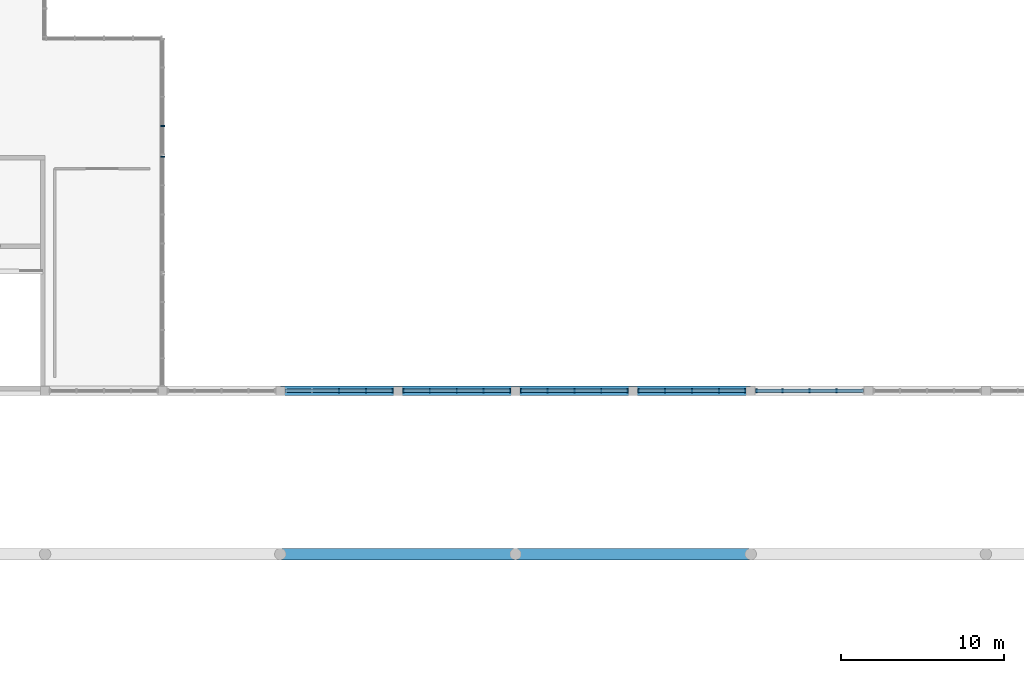
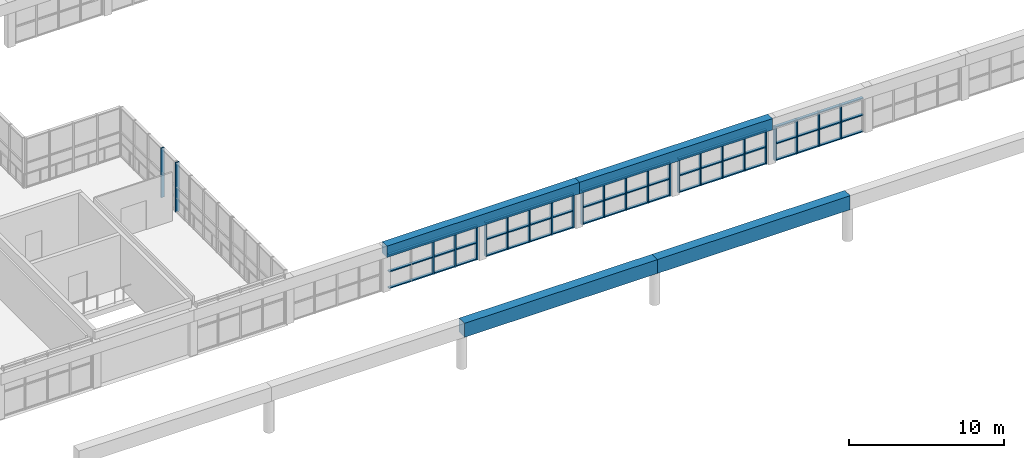
# One storey, part 8 of 83: 39 members, 4 beams, 7 elements without a shape of their own.
"""IFC4 building model written with IfcOpenShell, lengths in metres."""

from ifc_helpers import new_model, si_unit, direction, frame, origin, origin_2d, place, context, subcontext, project, spatial, rectangle, extrude, material, material_profile, profile_set, type_object, element, aggregate, save


model = new_model("IFC4")

# Units and contexts
model_context = context("Model", 3, precision=1e-05, world=origin(), true_north=direction((0.0, 1.0)))
body_context = subcontext(model_context, "Body", "Model", "MODEL_VIEW")
ifc_project = project(units=[si_unit("LENGTHUNIT", "METRE"), si_unit("AREAUNIT", "SQUARE_METRE"), si_unit("VOLUMEUNIT", "CUBIC_METRE"), si_unit("PLANEANGLEUNIT", "RADIAN"), si_unit("MASSUNIT", "GRAM", prefix="KILO")], contexts=[model_context])

# Site, building, storey
site_placement = place(None, origin())
site = spatial("IfcSite", under=ifc_project, at=site_placement, CompositionType="ELEMENT")
building_placement = place(site_placement, origin())
building = spatial("IfcBuilding", under=site, at=building_placement, Name="Leyfeld Transit Interchange", CompositionType="ELEMENT")
storey_placement = place(building_placement, frame((0.0, 0.0, 5.39990234375)))
storey = spatial("IfcBuildingStorey", under=building, at=storey_placement, Name="L01", CompositionType="ELEMENT", Elevation=5.39990234375)

# Beams
ifc_material_1 = material(Name="Concrete C40/50", Category="concrete")
ifc_material_profile_1 = material_profile(ifc_material_1, rectangle(XDim=0.699951171875, YDim=1.10009765625, at=origin_2d()), Name="RC 1100x700")
ifc_profile_set_1 = profile_set([ifc_material_profile_1], Name="Concrete C40/50")
beam_type_1 = type_object("IfcBeamType", Name="BM-RC-1100x700", PredefinedType="SPANDREL", material=ifc_profile_set_1)
beam_1_placement = place(storey_placement, frame((28.800048828125, 4.39990234375, 3.050048828125), z_axis=(1.0, 0.0, 0.0), x_axis=(0.0, 1.0, 0.0)))
element("IfcBeam", 1, at=beam_1_placement, inside=storey, type_object=beam_type_1, Name="Concourse Vault Edge Beam S Bay 3", PredefinedType="SPANDREL", context=body_context, shape_type="SweptSolid", body=[
    extrude(rectangle(XDim=0.699951171875, YDim=1.10009765625, at=origin_2d()), origin(), (0.0, 0.0, 1.0), 14.39990234375),
])
beam_2_placement = place(storey_placement, frame((43.199951171875, 4.39990234375, 3.050048828125), z_axis=(1.0, 0.0, 0.0), x_axis=(0.0, 1.0, 0.0)))
element("IfcBeam", 2, at=beam_2_placement, inside=storey, type_object=beam_type_1, Name="Concourse Vault Edge Beam S Bay 4", PredefinedType="SPANDREL", context=body_context, shape_type="SweptSolid", body=[
    extrude(rectangle(XDim=0.699951171875, YDim=1.10009765625, at=origin_2d()), origin(), (0.0, 0.0, 1.0), 14.400146484375),
])
ifc_material_2 = material(Name="Concrete C35/45", Category="concrete")
ifc_material_profile_2 = material_profile(ifc_material_2, rectangle(XDim=0.60009765625, YDim=0.89990234375, at=origin_2d()), Name="RC 900x600")
ifc_profile_set_2 = profile_set([ifc_material_profile_2], Name="Concrete C35/45")
beam_type_2 = type_object("IfcBeamType", Name="BM-RC-900x600", PredefinedType="JOIST", material=ifc_profile_set_2)
beam_3_placement = place(storey_placement, frame((28.800048828125, 14.39990234375, 3.150146484375), z_axis=(1.0, 0.0, 0.0), x_axis=(0.0, 1.0, 0.0)))
element("IfcBeam", 3, at=beam_3_placement, inside=storey, type_object=beam_type_2, Name="Concourse Hall Flank Beam HS Bay 3", PredefinedType="JOIST", context=body_context, shape_type="SweptSolid", body=[
    extrude(rectangle(XDim=0.60009765625, YDim=0.89990234375, at=origin_2d()), origin(), (0.0, 0.0, 1.0), 14.39990234375),
])
beam_4_placement = place(storey_placement, frame((43.199951171875, 14.39990234375, 3.150146484375), z_axis=(1.0, 0.0, 0.0), x_axis=(0.0, 1.0, 0.0)))
element("IfcBeam", 4, at=beam_4_placement, inside=storey, type_object=beam_type_2, Name="Concourse Hall Flank Beam HS Bay 4", PredefinedType="JOIST", context=body_context, shape_type="SweptSolid", body=[
    extrude(rectangle(XDim=0.60009765625, YDim=0.89990234375, at=origin_2d()), origin(), (0.0, 0.0, 1.0), 14.400146484375),
])

# Curtain wall, member
ifc_material_3 = material(Name="Anodised aluminium EN AW-6060 T66", Category="aluminium")
curtain_wall_type = type_object("IfcCurtainWallType", Name="CW-SYS-ARC-7200", PredefinedType="NOTDEFINED", material=ifc_material_3)
curtain_wall_1_placement = place(storey_placement, origin())
curtain_wall_1 = element("IfcCurtainWall", 5, at=curtain_wall_1_placement, inside=storey, type_object=curtain_wall_type, Name="Curtain Wall CW-L01-062", PredefinedType="NOTDEFINED")
ifc_material_profile_3 = material_profile(ifc_material_3, rectangle(XDim=0.0849609375, YDim=0.260009765625, at=origin_2d()), Name="CW-M 85x260")
ifc_profile_set_3 = profile_set([ifc_material_profile_3], Name="Anodised aluminium EN AW-6060 T66")
member_type_1 = type_object("IfcMemberType", Name="CW-MUL-220x80", PredefinedType="MULLION", material=ifc_profile_set_3)
member_1_placement = place(storey_placement, frame((21.60009765625, 30.614990234375, 0.0), z_axis=(0.0, 0.0, 1.0), x_axis=(0.0, -1.0, 0.0)))
member_1 = element("IfcMember", 6, at=member_1_placement, type_object=member_type_1, Name="Curtain Mullion CW-L01-062-M04", PredefinedType="MULLION", context=body_context, shape_type="SweptSolid", body=[
    extrude(rectangle(XDim=0.0849609375, YDim=0.260009765625, at=origin_2d()), origin(), (0.0, 0.0, 1.0), 3.900146484375),
])
aggregate(curtain_wall_1, [member_1])

curtain_wall_2_placement = place(storey_placement, origin())
curtain_wall_2 = element("IfcCurtainWall", 7, at=curtain_wall_2_placement, inside=storey, type_object=curtain_wall_type, Name="Curtain Wall CW-L01-063", PredefinedType="NOTDEFINED")
member_2_placement = place(storey_placement, frame((21.60009765625, 28.7275390625, 0.0), z_axis=(0.0, 0.0, 1.0), x_axis=(0.0, -1.0, 0.0)))
member_2 = element("IfcMember", 8, at=member_2_placement, type_object=member_type_1, Name="Curtain Mullion CW-L01-063-M01", PredefinedType="MULLION", context=body_context, shape_type="SweptSolid", body=[
    extrude(rectangle(XDim=0.0849609375, YDim=0.260009765625, at=origin_2d()), origin(), (0.0, 0.0, 1.0), 3.900146484375),
])
aggregate(curtain_wall_2, [member_2])

# Curtain wall, members
curtain_wall_3_placement = place(storey_placement, origin())
curtain_wall_3 = element("IfcCurtainWall", 9, at=curtain_wall_3_placement, inside=storey, type_object=curtain_wall_type, Name="Curtain Wall CW-L01-CLR-153", PredefinedType="NOTDEFINED")
member_3_placement = place(storey_placement, frame((32.39990234375, 14.39990234375, 0.0), z_axis=(0.0, 0.0, 1.0), x_axis=(1.0, 0.0, 0.0)))
member_3 = element("IfcMember", 10, at=member_3_placement, type_object=member_type_1, Name="Curtain Mullion CW-L01-CLR-153-M03", PredefinedType="MULLION", context=body_context, shape_type="SweptSolid", body=[
    extrude(rectangle(XDim=0.0849609375, YDim=0.260009765625, at=origin_2d()), origin(), (0.0, 0.0, 1.0), 2.7001953125),
])
member_4_placement = place(storey_placement, frame((34.050048828125, 14.39990234375, 0.0), z_axis=(0.0, 0.0, 1.0), x_axis=(1.0, 0.0, 0.0)))
member_4 = element("IfcMember", 11, at=member_4_placement, type_object=member_type_1, Name="Curtain Mullion CW-L01-CLR-153-M04", PredefinedType="MULLION", context=body_context, shape_type="SweptSolid", body=[
    extrude(rectangle(XDim=0.0849609375, YDim=0.260009765625, at=origin_2d()), origin(), (0.0, 0.0, 1.0), 2.7001953125),
])
member_5_placement = place(storey_placement, frame((35.657470703125, 14.39990234375, 0.0), z_axis=(0.0, 0.0, 1.0), x_axis=(1.0, 0.0, 0.0)))
member_5 = element("IfcMember", 12, at=member_5_placement, type_object=member_type_1, Name="Curtain Mullion CW-L01-CLR-153-M05", PredefinedType="MULLION", context=body_context, shape_type="SweptSolid", body=[
    extrude(rectangle(XDim=0.0849609375, YDim=0.260009765625, at=origin_2d()), origin(), (0.0, 0.0, 1.0), 2.7001953125),
])

curtain_wall_4_placement = place(storey_placement, origin())
curtain_wall_4 = element("IfcCurtainWall", 13, at=curtain_wall_4_placement, inside=storey, type_object=curtain_wall_type, Name="Curtain Wall CW-L01-CLR-154", PredefinedType="NOTDEFINED")
member_6_placement = place(storey_placement, frame((36.342529296875, 14.39990234375, 0.0), z_axis=(0.0, 0.0, 1.0), x_axis=(1.0, 0.0, 0.0)))
member_6 = element("IfcMember", 14, at=member_6_placement, type_object=member_type_1, Name="Curtain Mullion CW-L01-CLR-154-M01", PredefinedType="MULLION", context=body_context, shape_type="SweptSolid", body=[
    extrude(rectangle(XDim=0.0849609375, YDim=0.260009765625, at=origin_2d()), origin(), (0.0, 0.0, 1.0), 2.7001953125),
])
member_7_placement = place(storey_placement, frame((37.949951171875, 14.39990234375, 0.0), z_axis=(0.0, 0.0, 1.0), x_axis=(1.0, 0.0, 0.0)))
member_7 = element("IfcMember", 15, at=member_7_placement, type_object=member_type_1, Name="Curtain Mullion CW-L01-CLR-154-M02", PredefinedType="MULLION", context=body_context, shape_type="SweptSolid", body=[
    extrude(rectangle(XDim=0.0849609375, YDim=0.260009765625, at=origin_2d()), origin(), (0.0, 0.0, 1.0), 2.7001953125),
])
member_8_placement = place(storey_placement, frame((39.60009765625, 14.39990234375, 0.0), z_axis=(0.0, 0.0, 1.0), x_axis=(1.0, 0.0, 0.0)))
member_8 = element("IfcMember", 16, at=member_8_placement, type_object=member_type_1, Name="Curtain Mullion CW-L01-CLR-154-M03", PredefinedType="MULLION", context=body_context, shape_type="SweptSolid", body=[
    extrude(rectangle(XDim=0.0849609375, YDim=0.260009765625, at=origin_2d()), origin(), (0.0, 0.0, 1.0), 2.7001953125),
])
member_9_placement = place(storey_placement, frame((41.25, 14.39990234375, 0.0), z_axis=(0.0, 0.0, 1.0), x_axis=(1.0, 0.0, 0.0)))
member_9 = element("IfcMember", 17, at=member_9_placement, type_object=member_type_1, Name="Curtain Mullion CW-L01-CLR-154-M04", PredefinedType="MULLION", context=body_context, shape_type="SweptSolid", body=[
    extrude(rectangle(XDim=0.0849609375, YDim=0.260009765625, at=origin_2d()), origin(), (0.0, 0.0, 1.0), 2.7001953125),
])
member_10_placement = place(storey_placement, frame((42.857421875, 14.39990234375, 0.0), z_axis=(0.0, 0.0, 1.0), x_axis=(1.0, 0.0, 0.0)))
member_10 = element("IfcMember", 18, at=member_10_placement, type_object=member_type_1, Name="Curtain Mullion CW-L01-CLR-154-M05", PredefinedType="MULLION", context=body_context, shape_type="SweptSolid", body=[
    extrude(rectangle(XDim=0.0849609375, YDim=0.260009765625, at=origin_2d()), origin(), (0.0, 0.0, 1.0), 2.7001953125),
])

curtain_wall_5_placement = place(storey_placement, origin())
curtain_wall_5 = element("IfcCurtainWall", 19, at=curtain_wall_5_placement, inside=storey, type_object=curtain_wall_type, Name="Curtain Wall CW-L01-CLR-155", PredefinedType="NOTDEFINED")
member_11_placement = place(storey_placement, frame((43.54248046875, 14.39990234375, 0.0), z_axis=(0.0, 0.0, 1.0), x_axis=(1.0, 0.0, 0.0)))
member_11 = element("IfcMember", 20, at=member_11_placement, type_object=member_type_1, Name="Curtain Mullion CW-L01-CLR-155-M01", PredefinedType="MULLION", context=body_context, shape_type="SweptSolid", body=[
    extrude(rectangle(XDim=0.0849609375, YDim=0.260009765625, at=origin_2d()), origin(), (0.0, 0.0, 1.0), 2.7001953125),
])
member_12_placement = place(storey_placement, frame((45.14990234375, 14.39990234375, 0.0), z_axis=(0.0, 0.0, 1.0), x_axis=(1.0, 0.0, 0.0)))
member_12 = element("IfcMember", 21, at=member_12_placement, type_object=member_type_1, Name="Curtain Mullion CW-L01-CLR-155-M02", PredefinedType="MULLION", context=body_context, shape_type="SweptSolid", body=[
    extrude(rectangle(XDim=0.0849609375, YDim=0.260009765625, at=origin_2d()), origin(), (0.0, 0.0, 1.0), 2.7001953125),
])
member_13_placement = place(storey_placement, frame((46.800048828125, 14.39990234375, 0.0), z_axis=(0.0, 0.0, 1.0), x_axis=(1.0, 0.0, 0.0)))
member_13 = element("IfcMember", 22, at=member_13_placement, type_object=member_type_1, Name="Curtain Mullion CW-L01-CLR-155-M03", PredefinedType="MULLION", context=body_context, shape_type="SweptSolid", body=[
    extrude(rectangle(XDim=0.0849609375, YDim=0.260009765625, at=origin_2d()), origin(), (0.0, 0.0, 1.0), 2.7001953125),
])
member_14_placement = place(storey_placement, frame((48.449951171875, 14.39990234375, 0.0), z_axis=(0.0, 0.0, 1.0), x_axis=(1.0, 0.0, 0.0)))
member_14 = element("IfcMember", 23, at=member_14_placement, type_object=member_type_1, Name="Curtain Mullion CW-L01-CLR-155-M04", PredefinedType="MULLION", context=body_context, shape_type="SweptSolid", body=[
    extrude(rectangle(XDim=0.0849609375, YDim=0.260009765625, at=origin_2d()), origin(), (0.0, 0.0, 1.0), 2.7001953125),
])
member_15_placement = place(storey_placement, frame((50.0576171875, 14.39990234375, 0.0), z_axis=(0.0, 0.0, 1.0), x_axis=(1.0, 0.0, 0.0)))
member_15 = element("IfcMember", 24, at=member_15_placement, type_object=member_type_1, Name="Curtain Mullion CW-L01-CLR-155-M05", PredefinedType="MULLION", context=body_context, shape_type="SweptSolid", body=[
    extrude(rectangle(XDim=0.0849609375, YDim=0.260009765625, at=origin_2d()), origin(), (0.0, 0.0, 1.0), 2.7001953125),
])

curtain_wall_6_placement = place(storey_placement, origin())
curtain_wall_6 = element("IfcCurtainWall", 25, at=curtain_wall_6_placement, inside=storey, type_object=curtain_wall_type, Name="Curtain Wall CW-L01-CLR-156", PredefinedType="NOTDEFINED")
member_16_placement = place(storey_placement, frame((50.742431640625, 14.39990234375, 0.0), z_axis=(0.0, 0.0, 1.0), x_axis=(1.0, 0.0, 0.0)))
member_16 = element("IfcMember", 26, at=member_16_placement, type_object=member_type_1, Name="Curtain Mullion CW-L01-CLR-156-M01", PredefinedType="MULLION", context=body_context, shape_type="SweptSolid", body=[
    extrude(rectangle(XDim=0.0849609375, YDim=0.260009765625, at=origin_2d()), origin(), (0.0, 0.0, 1.0), 2.7001953125),
])
member_17_placement = place(storey_placement, frame((52.35009765625, 14.39990234375, 0.0), z_axis=(0.0, 0.0, 1.0), x_axis=(1.0, 0.0, 0.0)))
member_17 = element("IfcMember", 27, at=member_17_placement, type_object=member_type_1, Name="Curtain Mullion CW-L01-CLR-156-M02", PredefinedType="MULLION", context=body_context, shape_type="SweptSolid", body=[
    extrude(rectangle(XDim=0.0849609375, YDim=0.260009765625, at=origin_2d()), origin(), (0.0, 0.0, 1.0), 2.7001953125),
])
member_18_placement = place(storey_placement, frame((54.0, 14.39990234375, 0.0), z_axis=(0.0, 0.0, 1.0), x_axis=(1.0, 0.0, 0.0)))
member_18 = element("IfcMember", 28, at=member_18_placement, type_object=member_type_1, Name="Curtain Mullion CW-L01-CLR-156-M03", PredefinedType="MULLION", context=body_context, shape_type="SweptSolid", body=[
    extrude(rectangle(XDim=0.0849609375, YDim=0.260009765625, at=origin_2d()), origin(), (0.0, 0.0, 1.0), 2.7001953125),
])
member_19_placement = place(storey_placement, frame((55.64990234375, 14.39990234375, 0.0), z_axis=(0.0, 0.0, 1.0), x_axis=(1.0, 0.0, 0.0)))
member_19 = element("IfcMember", 29, at=member_19_placement, type_object=member_type_1, Name="Curtain Mullion CW-L01-CLR-156-M04", PredefinedType="MULLION", context=body_context, shape_type="SweptSolid", body=[
    extrude(rectangle(XDim=0.0849609375, YDim=0.260009765625, at=origin_2d()), origin(), (0.0, 0.0, 1.0), 2.7001953125),
])
member_20_placement = place(storey_placement, frame((57.257568359375, 14.39990234375, 0.0), z_axis=(0.0, 0.0, 1.0), x_axis=(1.0, 0.0, 0.0)))
member_20 = element("IfcMember", 30, at=member_20_placement, type_object=member_type_1, Name="Curtain Mullion CW-L01-CLR-156-M05", PredefinedType="MULLION", context=body_context, shape_type="SweptSolid", body=[
    extrude(rectangle(XDim=0.0849609375, YDim=0.260009765625, at=origin_2d()), origin(), (0.0, 0.0, 1.0), 2.7001953125),
])

curtain_wall_7_placement = place(storey_placement, origin())
curtain_wall_7 = element("IfcCurtainWall", 31, at=curtain_wall_7_placement, inside=storey, type_object=curtain_wall_type, Name="Curtain Wall CW-L01-CLR-157", PredefinedType="NOTDEFINED")
member_21_placement = place(storey_placement, frame((57.9423828125, 14.39990234375, 0.0), z_axis=(0.0, 0.0, 1.0), x_axis=(1.0, 0.0, 0.0)))
member_21 = element("IfcMember", 32, at=member_21_placement, type_object=member_type_1, Name="Curtain Mullion CW-L01-CLR-157-M01", PredefinedType="MULLION", context=body_context, shape_type="SweptSolid", body=[
    extrude(rectangle(XDim=0.0849609375, YDim=0.260009765625, at=origin_2d()), origin(), (0.0, 0.0, 1.0), 2.7001953125),
])
member_22_placement = place(storey_placement, frame((59.550048828125, 14.39990234375, 0.0), z_axis=(0.0, 0.0, 1.0), x_axis=(1.0, 0.0, 0.0)))
member_22 = element("IfcMember", 33, at=member_22_placement, type_object=member_type_1, Name="Curtain Mullion CW-L01-CLR-157-M02", PredefinedType="MULLION", context=body_context, shape_type="SweptSolid", body=[
    extrude(rectangle(XDim=0.0849609375, YDim=0.260009765625, at=origin_2d()), origin(), (0.0, 0.0, 1.0), 2.7001953125),
])
member_23_placement = place(storey_placement, frame((61.199951171875, 14.39990234375, 0.0), z_axis=(0.0, 0.0, 1.0), x_axis=(1.0, 0.0, 0.0)))
member_23 = element("IfcMember", 34, at=member_23_placement, type_object=member_type_1, Name="Curtain Mullion CW-L01-CLR-157-M03", PredefinedType="MULLION", context=body_context, shape_type="SweptSolid", body=[
    extrude(rectangle(XDim=0.0849609375, YDim=0.260009765625, at=origin_2d()), origin(), (0.0, 0.0, 1.0), 2.7001953125),
])
member_24_placement = place(storey_placement, frame((62.85009765625, 14.39990234375, 0.0), z_axis=(0.0, 0.0, 1.0), x_axis=(1.0, 0.0, 0.0)))
member_24 = element("IfcMember", 35, at=member_24_placement, type_object=member_type_1, Name="Curtain Mullion CW-L01-CLR-157-M04", PredefinedType="MULLION", context=body_context, shape_type="SweptSolid", body=[
    extrude(rectangle(XDim=0.0849609375, YDim=0.260009765625, at=origin_2d()), origin(), (0.0, 0.0, 1.0), 2.7001953125),
])

# Member
ifc_material_profile_4 = material_profile(ifc_material_3, rectangle(XDim=0.2099609375, YDim=0.0849609375, at=origin_2d()), Name="CW-TRN-200x80")
ifc_profile_set_4 = profile_set([ifc_material_profile_4], Name="Anodised aluminium EN AW-6060 T66")
member_type_2 = type_object("IfcMemberType", Name="CW-TRN-200x80", PredefinedType="USERDEFINED", material=ifc_profile_set_4)
member_25_placement = place(storey_placement, frame((29.10009765625, 14.39990234375, 0.04248046875), z_axis=(1.0, 0.0, 0.0), x_axis=(0.0, 1.0, 0.0)))
member_25 = element("IfcMember", 36, at=member_25_placement, type_object=member_type_2, Name="Curtain Transom CW-L01-CLR-153-T01", ObjectType="TRANSOM", PredefinedType="USERDEFINED", context=body_context, shape_type="SweptSolid", body=[
    extrude(rectangle(XDim=0.2099609375, YDim=0.0849609375, at=origin_2d()), origin(), (0.0, 0.0, 1.0), 6.599853515625),
])

member_26_placement = place(storey_placement, frame((29.10009765625, 14.39990234375, 1.35009765625), z_axis=(1.0, 0.0, 0.0), x_axis=(0.0, 1.0, 0.0)))
member_26 = element("IfcMember", 37, at=member_26_placement, type_object=member_type_2, Name="Curtain Transom CW-L01-CLR-153-T02", ObjectType="TRANSOM", PredefinedType="USERDEFINED", context=body_context, shape_type="SweptSolid", body=[
    extrude(rectangle(XDim=0.2099609375, YDim=0.0849609375, at=origin_2d()), origin(), (0.0, 0.0, 1.0), 6.599853515625),
])

member_27_placement = place(storey_placement, frame((29.10009765625, 14.39990234375, 2.65771484375), z_axis=(1.0, 0.0, 0.0), x_axis=(0.0, 1.0, 0.0)))
member_27 = element("IfcMember", 38, at=member_27_placement, type_object=member_type_2, Name="Curtain Transom CW-L01-CLR-153-T03", ObjectType="TRANSOM", PredefinedType="USERDEFINED", context=body_context, shape_type="SweptSolid", body=[
    extrude(rectangle(XDim=0.2099609375, YDim=0.0849609375, at=origin_2d()), origin(), (0.0, 0.0, 1.0), 6.599853515625),
])

aggregate(curtain_wall_3, [member_3, member_4, member_5, member_25, member_26, member_27])

member_28_placement = place(storey_placement, frame((36.300048828125, 14.39990234375, 0.04248046875), z_axis=(1.0, 0.0, 0.0), x_axis=(0.0, 1.0, 0.0)))
member_28 = element("IfcMember", 39, at=member_28_placement, type_object=member_type_2, Name="Curtain Transom CW-L01-CLR-154-T01", ObjectType="TRANSOM", PredefinedType="USERDEFINED", context=body_context, shape_type="SweptSolid", body=[
    extrude(rectangle(XDim=0.2099609375, YDim=0.0849609375, at=origin_2d()), origin(), (0.0, 0.0, 1.0), 6.599853515625),
])

member_29_placement = place(storey_placement, frame((36.300048828125, 14.39990234375, 1.35009765625), z_axis=(1.0, 0.0, 0.0), x_axis=(0.0, 1.0, 0.0)))
member_29 = element("IfcMember", 40, at=member_29_placement, type_object=member_type_2, Name="Curtain Transom CW-L01-CLR-154-T02", ObjectType="TRANSOM", PredefinedType="USERDEFINED", context=body_context, shape_type="SweptSolid", body=[
    extrude(rectangle(XDim=0.2099609375, YDim=0.0849609375, at=origin_2d()), origin(), (0.0, 0.0, 1.0), 6.599853515625),
])

member_30_placement = place(storey_placement, frame((36.300048828125, 14.39990234375, 2.65771484375), z_axis=(1.0, 0.0, 0.0), x_axis=(0.0, 1.0, 0.0)))
member_30 = element("IfcMember", 41, at=member_30_placement, type_object=member_type_2, Name="Curtain Transom CW-L01-CLR-154-T03", ObjectType="TRANSOM", PredefinedType="USERDEFINED", context=body_context, shape_type="SweptSolid", body=[
    extrude(rectangle(XDim=0.2099609375, YDim=0.0849609375, at=origin_2d()), origin(), (0.0, 0.0, 1.0), 6.599853515625),
])

aggregate(curtain_wall_4, [member_6, member_7, member_8, member_9, member_10, member_28, member_29, member_30])

member_31_placement = place(storey_placement, frame((43.5, 14.39990234375, 0.04248046875), z_axis=(1.0, 0.0, 0.0), x_axis=(0.0, 1.0, 0.0)))
member_31 = element("IfcMember", 42, at=member_31_placement, type_object=member_type_2, Name="Curtain Transom CW-L01-CLR-155-T01", ObjectType="TRANSOM", PredefinedType="USERDEFINED", context=body_context, shape_type="SweptSolid", body=[
    extrude(rectangle(XDim=0.2099609375, YDim=0.0849609375, at=origin_2d()), origin(), (0.0, 0.0, 1.0), 6.60009765625),
])

member_32_placement = place(storey_placement, frame((43.5, 14.39990234375, 1.35009765625), z_axis=(1.0, 0.0, 0.0), x_axis=(0.0, 1.0, 0.0)))
member_32 = element("IfcMember", 43, at=member_32_placement, type_object=member_type_2, Name="Curtain Transom CW-L01-CLR-155-T02", ObjectType="TRANSOM", PredefinedType="USERDEFINED", context=body_context, shape_type="SweptSolid", body=[
    extrude(rectangle(XDim=0.2099609375, YDim=0.0849609375, at=origin_2d()), origin(), (0.0, 0.0, 1.0), 6.60009765625),
])

member_33_placement = place(storey_placement, frame((43.5, 14.39990234375, 2.65771484375), z_axis=(1.0, 0.0, 0.0), x_axis=(0.0, 1.0, 0.0)))
member_33 = element("IfcMember", 44, at=member_33_placement, type_object=member_type_2, Name="Curtain Transom CW-L01-CLR-155-T03", ObjectType="TRANSOM", PredefinedType="USERDEFINED", context=body_context, shape_type="SweptSolid", body=[
    extrude(rectangle(XDim=0.2099609375, YDim=0.0849609375, at=origin_2d()), origin(), (0.0, 0.0, 1.0), 6.60009765625),
])

aggregate(curtain_wall_5, [member_11, member_12, member_13, member_14, member_15, member_31, member_32, member_33])

member_34_placement = place(storey_placement, frame((50.699951171875, 14.39990234375, 0.04248046875), z_axis=(1.0, 0.0, 0.0), x_axis=(0.0, 1.0, 0.0)))
member_34 = element("IfcMember", 45, at=member_34_placement, type_object=member_type_2, Name="Curtain Transom CW-L01-CLR-156-T01", ObjectType="TRANSOM", PredefinedType="USERDEFINED", context=body_context, shape_type="SweptSolid", body=[
    extrude(rectangle(XDim=0.2099609375, YDim=0.0849609375, at=origin_2d()), origin(), (0.0, 0.0, 1.0), 6.60009765625),
])

member_35_placement = place(storey_placement, frame((50.699951171875, 14.39990234375, 1.35009765625), z_axis=(1.0, 0.0, 0.0), x_axis=(0.0, 1.0, 0.0)))
member_35 = element("IfcMember", 46, at=member_35_placement, type_object=member_type_2, Name="Curtain Transom CW-L01-CLR-156-T02", ObjectType="TRANSOM", PredefinedType="USERDEFINED", context=body_context, shape_type="SweptSolid", body=[
    extrude(rectangle(XDim=0.2099609375, YDim=0.0849609375, at=origin_2d()), origin(), (0.0, 0.0, 1.0), 6.60009765625),
])

member_36_placement = place(storey_placement, frame((50.699951171875, 14.39990234375, 2.65771484375), z_axis=(1.0, 0.0, 0.0), x_axis=(0.0, 1.0, 0.0)))
member_36 = element("IfcMember", 47, at=member_36_placement, type_object=member_type_2, Name="Curtain Transom CW-L01-CLR-156-T03", ObjectType="TRANSOM", PredefinedType="USERDEFINED", context=body_context, shape_type="SweptSolid", body=[
    extrude(rectangle(XDim=0.2099609375, YDim=0.0849609375, at=origin_2d()), origin(), (0.0, 0.0, 1.0), 6.60009765625),
])

aggregate(curtain_wall_6, [member_16, member_17, member_18, member_19, member_20, member_34, member_35, member_36])

member_37_placement = place(storey_placement, frame((57.89990234375, 14.39990234375, 0.04248046875), z_axis=(1.0, 0.0, 0.0), x_axis=(0.0, 1.0, 0.0)))
member_37 = element("IfcMember", 48, at=member_37_placement, type_object=member_type_2, Name="Curtain Transom CW-L01-CLR-157-T01", ObjectType="TRANSOM", PredefinedType="USERDEFINED", context=body_context, shape_type="SweptSolid", body=[
    extrude(rectangle(XDim=0.2099609375, YDim=0.0849609375, at=origin_2d()), origin(), (0.0, 0.0, 1.0), 6.60009765625),
])

member_38_placement = place(storey_placement, frame((57.89990234375, 14.39990234375, 1.35009765625), z_axis=(1.0, 0.0, 0.0), x_axis=(0.0, 1.0, 0.0)))
member_38 = element("IfcMember", 49, at=member_38_placement, type_object=member_type_2, Name="Curtain Transom CW-L01-CLR-157-T02", ObjectType="TRANSOM", PredefinedType="USERDEFINED", context=body_context, shape_type="SweptSolid", body=[
    extrude(rectangle(XDim=0.2099609375, YDim=0.0849609375, at=origin_2d()), origin(), (0.0, 0.0, 1.0), 6.60009765625),
])

member_39_placement = place(storey_placement, frame((57.89990234375, 14.39990234375, 2.65771484375), z_axis=(1.0, 0.0, 0.0), x_axis=(0.0, 1.0, 0.0)))
member_39 = element("IfcMember", 50, at=member_39_placement, type_object=member_type_2, Name="Curtain Transom CW-L01-CLR-157-T03", ObjectType="TRANSOM", PredefinedType="USERDEFINED", context=body_context, shape_type="SweptSolid", body=[
    extrude(rectangle(XDim=0.2099609375, YDim=0.0849609375, at=origin_2d()), origin(), (0.0, 0.0, 1.0), 6.60009765625),
])

aggregate(curtain_wall_7, [member_21, member_22, member_23, member_24, member_37, member_38, member_39])

save(model, "model.ifc")
